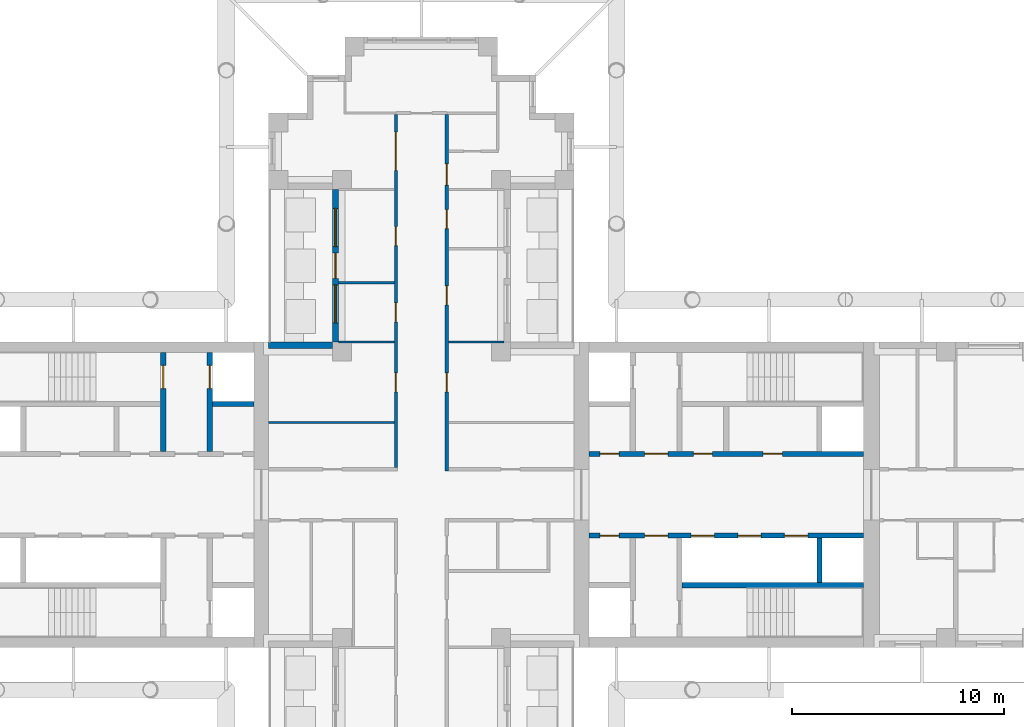
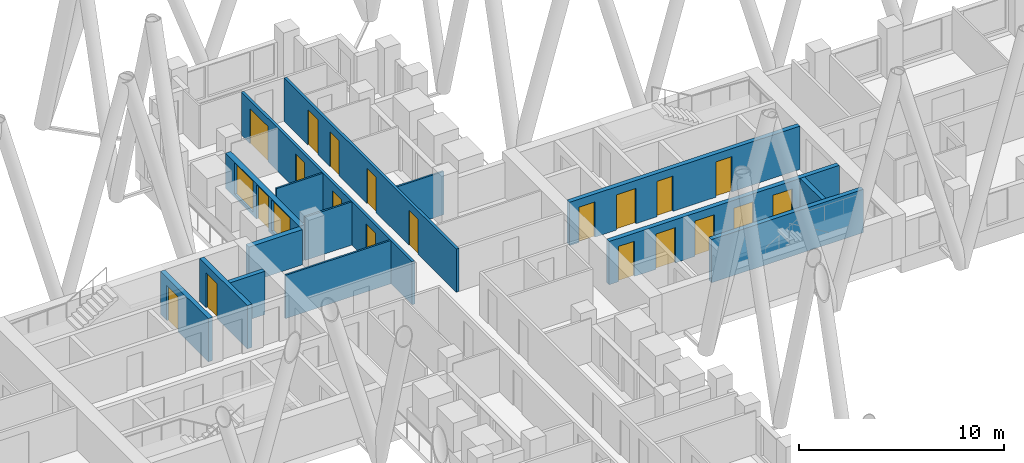
# One storey, part 8 of 14: 20 doors, 15 walls, 2 windows, 22 openings.
"""IFC4 building model written with IfcOpenShell, lengths in metres."""

import ifcopenshell
import ifcopenshell.guid

model = None  # the IFC model being written
_history = None  # IfcOwnerHistory: only IFC2X3 demands one
_inside = {}  # id of a spatial element -> (the spatial element, [elements in it])
_under = {}  # id of a project, library or spatial element -> (it, [spatial elements below it])
_declared = {}  # id of a project -> (the project, [libraries it declares])
_typed = {}  # id of a type object -> (the type object, [elements of that type])
_made_of = {}  # id of a material, layer set ... -> (it, [elements and type objects made of it])


def new_model(schema):
    """Start an empty IFC model of exactly this schema.

    Asked for "IFC4X3", IfcOpenShell would pick the latest addendum, in which some entities
    have other attributes; the version numbers below select the first issue.
    IFC2X3 requires an IfcOwnerHistory on every rooted entity: one is made here for all.
    """
    global model, _history
    if schema == "IFC4X3":
        model = ifcopenshell.file(schema_version=(4, 3, 0, 0))
    else:
        model = ifcopenshell.file(schema=schema)
    _inside.clear()
    _under.clear()
    _declared.clear()
    _typed.clear()
    _made_of.clear()
    _history = None
    if model.schema == "IFC2X3":
        org = make("IfcOrganization", Name="unknown")
        user = make(
            "IfcPersonAndOrganization",
            ThePerson=make("IfcPerson", FamilyName="unknown"),
            TheOrganization=org,
        )
        app = make(
            "IfcApplication",
            ApplicationDeveloper=org,
            Version="unknown",
            ApplicationFullName="unknown",
            ApplicationIdentifier="unknown",
        )
        _history = make(
            "IfcOwnerHistory",
            OwningUser=user,
            OwningApplication=app,
            ChangeAction="ADDED",
            CreationDate=0,
        )
    return model


def make(cls, **values):
    """One entity of the class cls with the attributes given. An attribute that is None is left unset."""
    return model.create_entity(
        cls, **{name: value for name, value in values.items() if value is not None}
    )


def rooted(cls, **values):
    """An entity with a GlobalId (a new one), such as an element, a storey or a relation."""
    return make(cls, GlobalId=ifcopenshell.guid.new(), OwnerHistory=_history, **values)


def si_unit(unit_type, name, prefix=None):
    """IfcSIUnit, for example si_unit("LENGTHUNIT", "METRE", prefix="MILLI")."""
    return make("IfcSIUnit", UnitType=unit_type, Prefix=prefix, Name=name)


def assignment(units):
    """IfcUnitAssignment: the units of a project."""
    return None if units is None else make("IfcUnitAssignment", Units=units)


def point(xyz):
    """IfcCartesianPoint."""
    return None if xyz is None else make("IfcCartesianPoint", Coordinates=xyz)


def direction(xyz):
    """IfcDirection."""
    return None if xyz is None else make("IfcDirection", DirectionRatios=xyz)


def frame(location, z_axis=None, x_axis=None):
    """IfcAxis2Placement3D, a coordinate frame: its origin and axes. An axis left out is left unset."""
    return make(
        "IfcAxis2Placement3D",
        Location=point(location),
        Axis=direction(z_axis),
        RefDirection=direction(x_axis),
    )


def frame_2d(location, x_axis=None):
    """IfcAxis2Placement2D, a coordinate frame in the plane: its origin and x axis."""
    return make(
        "IfcAxis2Placement2D", Location=point(location), RefDirection=direction(x_axis)
    )


def origin():
    """The frame at (0, 0, 0) with its axes left unset."""
    return frame((0.0, 0.0, 0.0))


def place(relative_to, where):
    """IfcLocalPlacement: puts the frame where relative to a parent placement (None: the world)."""
    return make(
        "IfcLocalPlacement", PlacementRelTo=relative_to, RelativePlacement=where
    )


def context(
    kind, dimensions, precision=None, world=None, true_north=None, identifier=None
):
    """IfcGeometricRepresentationContext, for example the 3D "Model" context."""
    return make(
        "IfcGeometricRepresentationContext",
        ContextIdentifier=identifier,
        ContextType=kind,
        CoordinateSpaceDimension=dimensions,
        Precision=precision,
        WorldCoordinateSystem=world,
        TrueNorth=true_north,
    )


def subcontext(parent, identifier, kind, view, scale=None):
    """IfcGeometricRepresentationSubContext, for example "Body" below "Model"."""
    return make(
        "IfcGeometricRepresentationSubContext",
        ContextIdentifier=identifier,
        ContextType=kind,
        ParentContext=parent,
        TargetScale=scale,
        TargetView=view,
    )


def project(units=None, contexts=None):
    """IfcProject with its units and contexts."""
    return rooted(
        "IfcProject",
        Name="project",
        RepresentationContexts=contexts,
        UnitsInContext=assignment(units),
    )


def spatial(cls, under=None, at=None, **own):
    """A site, building, storey or space (cls), placed at a placement, below another one or the project."""
    s = rooted(cls, ObjectPlacement=at, **own)
    if under is not None:
        _under.setdefault(under.id(), (under, []))[1].append(s)
    return s


def profile(cls, at=None, kind="AREA", **sizes):
    """A parametric profile (cls). Its sizes go by their IFC names, for example OverallWidth=200.0."""
    return make(cls, ProfileType=kind, Position=at, **sizes)


def rectangle(**sizes):
    """IfcRectangleProfileDef."""
    return profile("IfcRectangleProfileDef", **sizes)


def extrude(swept, where, along, depth):
    """IfcExtrudedAreaSolid: the profile swept, set in the frame where, extruded along a direction by depth."""
    return make(
        "IfcExtrudedAreaSolid",
        SweptArea=swept,
        Position=where,
        ExtrudedDirection=direction(along),
        Depth=depth,
    )


def shape(context_of_items, identifier, shape_type, items):
    """IfcShapeRepresentation: the items that make up one representation, for example the "Body"."""
    return make(
        "IfcShapeRepresentation",
        ContextOfItems=context_of_items,
        RepresentationIdentifier=identifier,
        RepresentationType=shape_type,
        Items=items,
    )


def material(Name=None, Category=None):
    """IfcMaterial."""
    return make("IfcMaterial", Name=Name, Category=Category)


def layer(
    of_material, thickness, ventilated=None, Name=None, Category=None, Priority=None
):
    """IfcMaterialLayer: one layer of a wall or slab, of a material (None: an air gap)."""
    return make(
        "IfcMaterialLayer",
        Material=of_material,
        LayerThickness=thickness,
        IsVentilated=ventilated,
        Name=Name,
        Category=Category,
        Priority=Priority,
    )


def layer_set(layers, Name=None):
    """IfcMaterialLayerSet."""
    return make("IfcMaterialLayerSet", MaterialLayers=layers, LayerSetName=Name)


def made_of(thing, what):
    """Note that an element or type object is made of a material, layer set ...; save() writes the relation."""
    if what is not None:
        _made_of.setdefault(what.id(), (what, []))[1].append(thing)
    return thing


def type_object(cls, material=None, **own):
    """A type object (cls), such as IfcWallType, which elements share."""
    return made_of(rooted(cls, **own), material)


def element(
    cls,
    number,
    at=None,
    inside=None,
    cuts=None,
    type_object=None,
    material=None,
    context=None,
    identifier="Body",
    shape_type=None,
    held_by="IfcProductDefinitionShape",
    body=None,
    shapes=None,
    **own,
):
    """One element of the class cls, such as IfcWall. Its Tag is "e" and its number.

    at: its placement. inside: the storey or other place that contains it. cuts: it is an
    opening in that element (IfcRelVoidsElement). A single representation is given by context,
    identifier, shape_type and body (its items); several are given by shapes. held_by: the class
    of the entity that holds the representations. save() writes the other relations.
    """
    e = rooted(cls, Tag="e%d" % number, ObjectPlacement=at, **own)
    if body is not None:
        shapes = [shape(context, identifier, shape_type, body)]
    if shapes is not None:
        e.Representation = make(held_by, Representations=shapes)
    if inside is not None:
        _inside.setdefault(inside.id(), (inside, []))[1].append(e)
    if cuts is not None:
        rooted(
            "IfcRelVoidsElement", RelatingBuildingElement=cuts, RelatedOpeningElement=e
        )
    if type_object is not None:
        _typed.setdefault(type_object.id(), (type_object, []))[1].append(e)
    return made_of(e, material)


def fill(opening, filler):
    """IfcRelFillsElement: the door or window that sits in an opening."""
    return rooted(
        "IfcRelFillsElement",
        RelatingOpeningElement=opening,
        RelatedBuildingElement=filler,
    )


def aggregate(whole, parts):
    """IfcRelAggregates: a whole, such as a stair, and the parts it consists of."""
    return rooted("IfcRelAggregates", RelatingObject=whole, RelatedObjects=parts)


def save(model, path):
    """Write the relations noted so far, then the file.

    IfcRelAggregates (storeys below a building ...), IfcRelContainedInSpatialStructure (elements
    in a storey), IfcRelDefinesByType, IfcRelAssociatesMaterial and IfcRelDeclares: one each for
    every whole, place, type object, material and project.
    """
    for whole, parts in _under.values():
        aggregate(whole, parts)
    for where, things in _inside.values():
        rooted(
            "IfcRelContainedInSpatialStructure",
            RelatedElements=things,
            RelatingStructure=where,
        )
    for kind, things in _typed.values():
        rooted("IfcRelDefinesByType", RelatedObjects=things, RelatingType=kind)
    for what, things in _made_of.values():
        rooted("IfcRelAssociatesMaterial", RelatedObjects=things, RelatingMaterial=what)
    for by, libraries in _declared.values():
        rooted("IfcRelDeclares", RelatingContext=by, RelatedDefinitions=libraries)
    model.write(path)


model = new_model("IFC4")

# Units and contexts
model_context = context("Model", 3, precision=1e-05, world=origin(), true_north=direction((0.0, 1.0)))
body_context = subcontext(model_context, "Body", "Model", "MODEL_VIEW")
ifc_project = project(units=[si_unit("LENGTHUNIT", "METRE"), si_unit("AREAUNIT", "SQUARE_METRE"), si_unit("VOLUMEUNIT", "CUBIC_METRE"), si_unit("PLANEANGLEUNIT", "RADIAN"), si_unit("MASSUNIT", "GRAM", prefix="KILO")], contexts=[model_context])

# Site, building, storey
site_placement = place(None, origin())
site = spatial("IfcSite", under=ifc_project, at=site_placement, CompositionType="ELEMENT")
building_placement = place(site_placement, origin())
building = spatial("IfcBuilding", under=site, at=building_placement, Name="Fustian Cross Tower", CompositionType="ELEMENT")
storey_placement = place(building_placement, frame((0.0, 0.0, 102.89990234375)))
storey = spatial("IfcBuildingStorey", under=building, at=storey_placement, Name="L32", CompositionType="ELEMENT", Elevation=102.89990234375)

# Wall, openings, doors
ifc_material_1 = material(Name="Plasterboard on steel stud", Category="steel")
ifc_layer_1 = layer(ifc_material_1, 0.14990234375)
ifc_layer_set_1 = layer_set([ifc_layer_1], Name="Plasterboard on steel stud")
wall_type_1 = type_object("IfcWallType", Name="COMPARTMENT WALL 150 EI 60", PredefinedType="PARTITIONING", material=ifc_layer_set_1)
wall_1_placement = place(storey_placement, frame((-1.199951171875, 1.27490234375, 0.0), z_axis=(0.0, 0.0, 1.0), x_axis=(0.0, 1.0, 0.0)))
wall_1 = element("IfcWall", 1, at=wall_1_placement, inside=storey, type_object=wall_type_1, Name="Partition 41", PredefinedType="PARTITIONING", context=body_context, shape_type="SweptSolid", body=[
    extrude(rectangle(XDim=16.650146484375, YDim=0.14990234375, at=frame_2d((8.3251953125, 0.0))), origin(), (0.0, 0.0, 1.0), 2.5751953125),
])
opening_1_placement = place(wall_1_placement, frame((3.574951171875, 0.0, 0.0)))
opening_1 = element("IfcOpeningElement", 2, at=opening_1_placement, cuts=wall_1, Name="Opening D15004", PredefinedType="OPENING", context=body_context, shape_type="SweptSolid", body=[
    extrude(rectangle(XDim=0.89990234375, YDim=2.10009765625, at=frame_2d((0.449951171875, 1.050048828125))), frame((0.0, 0.0849609375, 0.0), z_axis=(0.0, -1.0, 0.0), x_axis=(1.0, 0.0, 0.0)), (0.0, 0.0, 1.0), 0.169921875),
])
opening_2_placement = place(wall_1_placement, frame((6.875, 0.0, 0.0)))
opening_2 = element("IfcOpeningElement", 3, at=opening_2_placement, cuts=wall_1, Name="Opening D15021", PredefinedType="OPENING", context=body_context, shape_type="SweptSolid", body=[
    extrude(rectangle(XDim=0.89990234375, YDim=2.10009765625, at=frame_2d((0.449951171875, 1.050048828125))), frame((0.0, 0.0849609375, 0.0), z_axis=(0.0, -1.0, 0.0), x_axis=(1.0, 0.0, 0.0)), (0.0, 0.0, 1.0), 0.169921875),
])
opening_3_placement = place(wall_1_placement, frame((10.47509765625, 0.0, 0.0)))
opening_3 = element("IfcOpeningElement", 4, at=opening_3_placement, cuts=wall_1, Name="Opening D15022", PredefinedType="OPENING", context=body_context, shape_type="SweptSolid", body=[
    extrude(rectangle(XDim=0.89990234375, YDim=2.10009765625, at=frame_2d((0.449951171875, 1.050048828125))), frame((0.0, 0.0849609375, 0.0), z_axis=(0.0, -1.0, 0.0), x_axis=(1.0, 0.0, 0.0)), (0.0, 0.0, 1.0), 0.169921875),
])
opening_4_placement = place(wall_1_placement, frame((14.02490234375, 0.0, 0.0)))
opening_4 = element("IfcOpeningElement", 5, at=opening_4_placement, cuts=wall_1, Name="Opening D15023", PredefinedType="OPENING", context=body_context, shape_type="SweptSolid", body=[
    extrude(rectangle(XDim=1.800048828125, YDim=2.10009765625, at=frame_2d((0.89990234375, 1.050048828125))), frame((0.0, 0.0849609375, 0.0), z_axis=(0.0, -1.0, 0.0), x_axis=(1.0, 0.0, 0.0)), (0.0, 0.0, 1.0), 0.169921875),
])
ifc_material_2 = material(Name="Timber fire door set", Category="wood")
door_type_1 = type_object("IfcDoorType", Name="FIRE DOUBLE DOOR 1800 FD30S", OperationType="DOUBLE_DOOR_DOUBLE_SWING", PredefinedType="DOOR", material=ifc_material_2)
door_1_placement = place(opening_4_placement, frame((1.800048828125, 0.0, 0.0), z_axis=(0.0, 0.0, 1.0), x_axis=(-1.0, 0.0, 0.0)))
door_1 = element("IfcDoor", 6, at=door_1_placement, inside=storey, type_object=door_type_1, Name="Door D15023", OperationType="DOUBLE_DOOR_DOUBLE_SWING", OverallHeight=2.10009765625, OverallWidth=1.800048828125, PredefinedType="DOOR", context=body_context, shape_type="SweptSolid", body=[
    extrude(rectangle(XDim=1.800048828125, YDim=2.10009765625, at=frame_2d((0.89990234375, 1.050048828125))), frame((0.0, 0.02490234375, 0.0), z_axis=(0.0, -1.0, 0.0), x_axis=(1.0, 0.0, 0.0)), (0.0, 0.0, 1.0), 0.050048828125),
])
fill(opening_4, door_1)
ifc_material_3 = material(Name="Timber fire door set", Category="wood")
door_type_2 = type_object("IfcDoorType", Name="FIRE SWING DOOR 900 FD30S", OperationType="SINGLE_SWING_LEFT", PredefinedType="DOOR", material=ifc_material_3)
door_2_placement = place(opening_1_placement, origin())
door_2 = element("IfcDoor", 7, at=door_2_placement, inside=storey, type_object=door_type_2, Name="Door D15004", OperationType="SINGLE_SWING_RIGHT", OverallHeight=2.10009765625, OverallWidth=0.89990234375, PredefinedType="DOOR", context=body_context, shape_type="SweptSolid", body=[
    extrude(rectangle(XDim=0.89990234375, YDim=2.10009765625, at=frame_2d((0.449951171875, 1.050048828125))), frame((0.0, 0.02490234375, 0.0), z_axis=(0.0, -1.0, 0.0), x_axis=(1.0, 0.0, 0.0)), (0.0, 0.0, 1.0), 0.050048828125),
])
fill(opening_1, door_2)
door_3_placement = place(opening_2_placement, origin())
door_3 = element("IfcDoor", 8, at=door_3_placement, inside=storey, type_object=door_type_2, Name="Door D15021", OperationType="SINGLE_SWING_LEFT", OverallHeight=2.10009765625, OverallWidth=0.89990234375, PredefinedType="DOOR", context=body_context, shape_type="SweptSolid", body=[
    extrude(rectangle(XDim=0.89990234375, YDim=2.10009765625, at=frame_2d((0.449951171875, 1.050048828125))), frame((0.0, 0.02490234375, 0.0), z_axis=(0.0, -1.0, 0.0), x_axis=(1.0, 0.0, 0.0)), (0.0, 0.0, 1.0), 0.050048828125),
])
fill(opening_2, door_3)
door_4_placement = place(opening_3_placement, origin())
door_4 = element("IfcDoor", 9, at=door_4_placement, inside=storey, type_object=door_type_2, Name="Door D15022", OperationType="SINGLE_SWING_LEFT", OverallHeight=2.10009765625, OverallWidth=0.89990234375, PredefinedType="DOOR", context=body_context, shape_type="SweptSolid", body=[
    extrude(rectangle(XDim=0.89990234375, YDim=2.10009765625, at=frame_2d((0.449951171875, 1.050048828125))), frame((0.0, 0.02490234375, 0.0), z_axis=(0.0, -1.0, 0.0), x_axis=(1.0, 0.0, 0.0)), (0.0, 0.0, 1.0), 0.050048828125),
])
fill(opening_3, door_4)

wall_2_placement = place(storey_placement, frame((1.199951171875, 1.125, 0.0), z_axis=(0.0, 0.0, 1.0), x_axis=(0.0, 1.0, 0.0)))
wall_2 = element("IfcWall", 10, at=wall_2_placement, inside=storey, type_object=wall_type_1, Name="Partition 51", PredefinedType="PARTITIONING", context=body_context, shape_type="SweptSolid", body=[
    extrude(rectangle(XDim=16.800048828125, YDim=0.14990234375, at=frame_2d((8.39990234375, 0.0))), origin(), (0.0, 0.0, 1.0), 2.5751953125),
])
opening_5_placement = place(wall_2_placement, frame((3.72509765625, 0.0, 0.0)))
opening_5 = element("IfcOpeningElement", 11, at=opening_5_placement, cuts=wall_2, Name="Opening D15002", PredefinedType="OPENING", context=body_context, shape_type="SweptSolid", body=[
    extrude(rectangle(XDim=0.89990234375, YDim=2.10009765625, at=frame_2d((0.449951171875, 1.050048828125))), frame((0.0, 0.0849609375, 0.0), z_axis=(0.0, -1.0, 0.0), x_axis=(1.0, 0.0, 0.0)), (0.0, 0.0, 1.0), 0.169921875),
])
opening_6_placement = place(wall_2_placement, frame((11.425048828125, 0.0, 0.0)))
opening_6 = element("IfcOpeningElement", 12, at=opening_6_placement, cuts=wall_2, Name="Opening D15024", PredefinedType="OPENING", context=body_context, shape_type="SweptSolid", body=[
    extrude(rectangle(XDim=0.89990234375, YDim=2.10009765625, at=frame_2d((0.449951171875, 1.050048828125))), frame((0.0, 0.0849609375, 0.0), z_axis=(0.0, -1.0, 0.0), x_axis=(1.0, 0.0, 0.0)), (0.0, 0.0, 1.0), 0.169921875),
])
opening_7_placement = place(wall_2_placement, frame((7.824951171875, 0.0, 0.0)))
opening_7 = element("IfcOpeningElement", 13, at=opening_7_placement, cuts=wall_2, Name="Opening D15025", PredefinedType="OPENING", context=body_context, shape_type="SweptSolid", body=[
    extrude(rectangle(XDim=0.89990234375, YDim=2.10009765625, at=frame_2d((0.449951171875, 1.050048828125))), frame((0.0, 0.0849609375, 0.0), z_axis=(0.0, -1.0, 0.0), x_axis=(1.0, 0.0, 0.0)), (0.0, 0.0, 1.0), 0.169921875),
])
opening_8_placement = place(wall_2_placement, frame((13.47509765625, 0.0, 0.0)))
opening_8 = element("IfcOpeningElement", 14, at=opening_8_placement, cuts=wall_2, Name="Opening D15027", PredefinedType="OPENING", context=body_context, shape_type="SweptSolid", body=[
    extrude(rectangle(XDim=1.0, YDim=2.10009765625, at=frame_2d((0.5, 1.050048828125))), frame((0.0, 0.0849609375, 0.0), z_axis=(0.0, -1.0, 0.0), x_axis=(1.0, 0.0, 0.0)), (0.0, 0.0, 1.0), 0.169921875),
])
ifc_material_4 = material(Name="Timber fire door set", Category="wood")
door_type_3 = type_object("IfcDoorType", Name="FIRE SWING DOOR 1000 FD30S", OperationType="SINGLE_SWING_LEFT", PredefinedType="DOOR", material=ifc_material_4)
door_5_placement = place(opening_8_placement, frame((1.0, 0.0, 0.0), z_axis=(0.0, 0.0, 1.0), x_axis=(-1.0, 0.0, 0.0)))
door_5 = element("IfcDoor", 15, at=door_5_placement, inside=storey, type_object=door_type_3, Name="Door D15027", OperationType="SINGLE_SWING_RIGHT", OverallHeight=2.10009765625, OverallWidth=1.0, PredefinedType="DOOR", context=body_context, shape_type="SweptSolid", body=[
    extrude(rectangle(XDim=1.0, YDim=2.10009765625, at=frame_2d((0.5, 1.050048828125))), frame((0.0, 0.02490234375, 0.0), z_axis=(0.0, -1.0, 0.0), x_axis=(1.0, 0.0, 0.0)), (0.0, 0.0, 1.0), 0.050048828125),
])
fill(opening_8, door_5)
door_6_placement = place(opening_5_placement, frame((0.89990234375, 0.0, 0.0), z_axis=(0.0, 0.0, 1.0), x_axis=(-1.0, 0.0, 0.0)))
door_6 = element("IfcDoor", 16, at=door_6_placement, inside=storey, type_object=door_type_2, Name="Door D15002", OperationType="SINGLE_SWING_LEFT", OverallHeight=2.10009765625, OverallWidth=0.89990234375, PredefinedType="DOOR", context=body_context, shape_type="SweptSolid", body=[
    extrude(rectangle(XDim=0.89990234375, YDim=2.10009765625, at=frame_2d((0.449951171875, 1.050048828125))), frame((0.0, 0.02490234375, 0.0), z_axis=(0.0, -1.0, 0.0), x_axis=(1.0, 0.0, 0.0)), (0.0, 0.0, 1.0), 0.050048828125),
])
fill(opening_5, door_6)
door_7_placement = place(opening_6_placement, frame((0.89990234375, 0.0, 0.0), z_axis=(0.0, 0.0, 1.0), x_axis=(-1.0, 0.0, 0.0)))
door_7 = element("IfcDoor", 17, at=door_7_placement, inside=storey, type_object=door_type_2, Name="Door D15024", OperationType="SINGLE_SWING_RIGHT", OverallHeight=2.10009765625, OverallWidth=0.89990234375, PredefinedType="DOOR", context=body_context, shape_type="SweptSolid", body=[
    extrude(rectangle(XDim=0.89990234375, YDim=2.10009765625, at=frame_2d((0.449951171875, 1.050048828125))), frame((0.0, 0.02490234375, 0.0), z_axis=(0.0, -1.0, 0.0), x_axis=(1.0, 0.0, 0.0)), (0.0, 0.0, 1.0), 0.050048828125),
])
fill(opening_6, door_7)
door_8_placement = place(opening_7_placement, frame((0.89990234375, 0.0, 0.0), z_axis=(0.0, 0.0, 1.0), x_axis=(-1.0, 0.0, 0.0)))
door_8 = element("IfcDoor", 18, at=door_8_placement, inside=storey, type_object=door_type_2, Name="Door D15025", OperationType="SINGLE_SWING_RIGHT", OverallHeight=2.10009765625, OverallWidth=0.89990234375, PredefinedType="DOOR", context=body_context, shape_type="SweptSolid", body=[
    extrude(rectangle(XDim=0.89990234375, YDim=2.10009765625, at=frame_2d((0.449951171875, 1.050048828125))), frame((0.0, 0.02490234375, 0.0), z_axis=(0.0, -1.0, 0.0), x_axis=(1.0, 0.0, 0.0)), (0.0, 0.0, 1.0), 0.050048828125),
])
fill(opening_7, door_8)

ifc_material_5 = material(Name="Concrete C50/60", Category="concrete")
ifc_layer_2 = layer(ifc_material_5, 0.25)
ifc_layer_set_2 = layer_set([ifc_layer_2], Name="Concrete C50/60")
wall_type_2 = type_object("IfcWallType", Name="CORE LOBBY WALL 250 C50/60", PredefinedType="SHEAR", material=ifc_layer_set_2)
wall_3_placement = place(storey_placement, frame((7.89990234375, 1.925048828125, 0.0), z_axis=(0.0, 0.0, 1.0), x_axis=(1.0, 0.0, 0.0)))
wall_3 = element("IfcWall", 19, at=wall_3_placement, inside=storey, type_object=wall_type_2, Name="Core lobby wall", PredefinedType="SHEAR", context=body_context, shape_type="SweptSolid", body=[
    extrude(rectangle(XDim=12.9501953125, YDim=0.25, at=frame_2d((6.47509765625, 0.0))), origin(), (0.0, 0.0, 1.0), 2.5751953125),
])
opening_9_placement = place(wall_3_placement, frame((0.52490234375, 0.0, 0.0)))
opening_9 = element("IfcOpeningElement", 20, at=opening_9_placement, cuts=wall_3, Name="Opening CD-10-08", PredefinedType="OPENING", context=body_context, shape_type="SweptSolid", body=[
    extrude(rectangle(XDim=0.89990234375, YDim=2.10009765625, at=frame_2d((0.449951171875, 1.050048828125))), frame((0.0, 0.135009765625, 0.0), z_axis=(0.0, -1.0, 0.0), x_axis=(1.0, 0.0, 0.0)), (0.0, 0.0, 1.0), 0.27001953125),
])
opening_10_placement = place(wall_3_placement, frame((2.625, 0.0, 0.0)))
opening_10 = element("IfcOpeningElement", 21, at=opening_10_placement, cuts=wall_3, Name="Opening CD-10-10", PredefinedType="OPENING", context=body_context, shape_type="SweptSolid", body=[
    extrude(rectangle(XDim=1.10009765625, YDim=2.10009765625, at=frame_2d((0.550048828125, 1.050048828125))), frame((0.0, 0.135009765625, 0.0), z_axis=(0.0, -1.0, 0.0), x_axis=(1.0, 0.0, 0.0)), (0.0, 0.0, 1.0), 0.27001953125),
])
opening_11_placement = place(wall_3_placement, frame((4.925048828125, 0.0, 0.0)))
opening_11 = element("IfcOpeningElement", 22, at=opening_11_placement, cuts=wall_3, Name="Opening CD-10-14", PredefinedType="OPENING", context=body_context, shape_type="SweptSolid", body=[
    extrude(rectangle(XDim=0.89990234375, YDim=2.10009765625, at=frame_2d((0.449951171875, 1.050048828125))), frame((0.0, 0.135009765625, 0.0), z_axis=(0.0, -1.0, 0.0), x_axis=(1.0, 0.0, 0.0)), (0.0, 0.0, 1.0), 0.27001953125),
])
opening_12_placement = place(wall_3_placement, frame((8.22509765625, 0.0, 0.0)))
opening_12 = element("IfcOpeningElement", 23, at=opening_12_placement, cuts=wall_3, Name="Opening CD-10-15", PredefinedType="OPENING", context=body_context, shape_type="SweptSolid", body=[
    extrude(rectangle(XDim=0.89990234375, YDim=2.10009765625, at=frame_2d((0.449951171875, 1.050048828125))), frame((0.0, 0.135009765625, 0.0), z_axis=(0.0, -1.0, 0.0), x_axis=(1.0, 0.0, 0.0)), (0.0, 0.0, 1.0), 0.27001953125),
])
ifc_material_6 = material(Name="Steel", Category="steel")
door_type_4 = type_object("IfcDoorType", Name="FIRE DOOR FD30S 900X2100", OperationType="SINGLE_SWING_LEFT", PredefinedType="DOOR", material=ifc_material_6)
door_9_placement = place(opening_11_placement, origin())
door_9 = element("IfcDoor", 24, at=door_9_placement, inside=storey, type_object=door_type_4, Name="Core door CD-10-14", OperationType="SINGLE_SWING_LEFT", OverallHeight=2.10009765625, OverallWidth=0.89990234375, PredefinedType="DOOR", context=body_context, shape_type="SweptSolid", body=[
    extrude(rectangle(XDim=0.89990234375, YDim=2.10009765625, at=frame_2d((0.449951171875, 1.050048828125))), frame((0.0, 0.02490234375, 0.0), z_axis=(0.0, -1.0, 0.0), x_axis=(1.0, 0.0, 0.0)), (0.0, 0.0, 1.0), 0.050048828125),
])
fill(opening_11, door_9)
door_10_placement = place(opening_12_placement, origin())
door_10 = element("IfcDoor", 25, at=door_10_placement, inside=storey, type_object=door_type_4, Name="Core door CD-10-15", OperationType="SINGLE_SWING_RIGHT", OverallHeight=2.10009765625, OverallWidth=0.89990234375, PredefinedType="DOOR", context=body_context, shape_type="SweptSolid", body=[
    extrude(rectangle(XDim=0.89990234375, YDim=2.10009765625, at=frame_2d((0.449951171875, 1.050048828125))), frame((0.0, 0.02490234375, 0.0), z_axis=(0.0, -1.0, 0.0), x_axis=(1.0, 0.0, 0.0)), (0.0, 0.0, 1.0), 0.050048828125),
])
fill(opening_12, door_10)
ifc_material_7 = material(Name="Steel", Category="steel")
door_type_5 = type_object("IfcDoorType", Name="FIRE DOOR FD60S 1100X2100", OperationType="SINGLE_SWING_LEFT", PredefinedType="DOOR", material=ifc_material_7)
door_11_placement = place(opening_10_placement, frame((1.10009765625, 0.0, 0.0), z_axis=(0.0, 0.0, 1.0), x_axis=(-1.0, 0.0, 0.0)))
door_11 = element("IfcDoor", 26, at=door_11_placement, inside=storey, type_object=door_type_5, Name="Core door CD-10-10", OperationType="SINGLE_SWING_RIGHT", OverallHeight=2.10009765625, OverallWidth=1.10009765625, PredefinedType="DOOR", context=body_context, shape_type="SweptSolid", body=[
    extrude(rectangle(XDim=1.10009765625, YDim=2.10009765625, at=frame_2d((0.550048828125, 1.050048828125))), frame((0.0, 0.02490234375, 0.0), z_axis=(0.0, -1.0, 0.0), x_axis=(1.0, 0.0, 0.0)), (0.0, 0.0, 1.0), 0.050048828125),
])
fill(opening_10, door_11)
ifc_material_8 = material(Name="Steel", Category="steel")
door_type_6 = type_object("IfcDoorType", Name="FIRE DOOR FD60S 900X2100", OperationType="SINGLE_SWING_LEFT", PredefinedType="DOOR", material=ifc_material_8)
door_12_placement = place(opening_9_placement, origin())
door_12 = element("IfcDoor", 27, at=door_12_placement, inside=storey, type_object=door_type_6, Name="Core door CD-10-08", OperationType="SINGLE_SWING_LEFT", OverallHeight=2.10009765625, OverallWidth=0.89990234375, PredefinedType="DOOR", context=body_context, shape_type="SweptSolid", body=[
    extrude(rectangle(XDim=0.89990234375, YDim=2.10009765625, at=frame_2d((0.449951171875, 1.050048828125))), frame((0.0, 0.02490234375, 0.0), z_axis=(0.0, -1.0, 0.0), x_axis=(1.0, 0.0, 0.0)), (0.0, 0.0, 1.0), 0.050048828125),
])
fill(opening_9, door_12)

wall_4_placement = place(storey_placement, frame((7.89990234375, -1.925048828125, 0.0), z_axis=(0.0, 0.0, 1.0), x_axis=(1.0, 0.0, 0.0)))
wall_4 = element("IfcWall", 28, at=wall_4_placement, inside=storey, type_object=wall_type_2, Name="Core lobby wall", PredefinedType="SHEAR", context=body_context, shape_type="SweptSolid", body=[
    extrude(rectangle(XDim=12.9501953125, YDim=0.25, at=frame_2d((6.47509765625, 0.0))), origin(), (0.0, 0.0, 1.0), 2.5751953125),
])
opening_13_placement = place(wall_4_placement, frame((4.824951171875, 0.0, 0.0)))
opening_13 = element("IfcOpeningElement", 29, at=opening_13_placement, cuts=wall_4, Name="Opening LD", PredefinedType="OPENING", context=body_context, shape_type="SweptSolid", body=[
    extrude(rectangle(XDim=1.10009765625, YDim=2.10009765625, at=frame_2d((0.550048828125, 1.050048828125))), frame((0.0, 0.135009765625, 0.0), z_axis=(0.0, -1.0, 0.0), x_axis=(1.0, 0.0, 0.0)), (0.0, 0.0, 1.0), 0.27001953125),
])
opening_14_placement = place(wall_4_placement, frame((7.02490234375, 0.0, 0.0)))
opening_14 = element("IfcOpeningElement", 30, at=opening_14_placement, cuts=wall_4, Name="Opening LD", PredefinedType="OPENING", context=body_context, shape_type="SweptSolid", body=[
    extrude(rectangle(XDim=1.10009765625, YDim=2.10009765625, at=frame_2d((0.550048828125, 1.050048828125))), frame((0.0, 0.135009765625, 0.0), z_axis=(0.0, -1.0, 0.0), x_axis=(1.0, 0.0, 0.0)), (0.0, 0.0, 1.0), 0.27001953125),
])
opening_15_placement = place(wall_4_placement, frame((9.22509765625, 0.0, 0.0)))
opening_15 = element("IfcOpeningElement", 31, at=opening_15_placement, cuts=wall_4, Name="Opening LD", PredefinedType="OPENING", context=body_context, shape_type="SweptSolid", body=[
    extrude(rectangle(XDim=1.10009765625, YDim=2.10009765625, at=frame_2d((0.550048828125, 1.050048828125))), frame((0.0, 0.135009765625, 0.0), z_axis=(0.0, -1.0, 0.0), x_axis=(1.0, 0.0, 0.0)), (0.0, 0.0, 1.0), 0.27001953125),
])
opening_16_placement = place(wall_4_placement, frame((0.52490234375, 0.0, 0.0)))
opening_16 = element("IfcOpeningElement", 32, at=opening_16_placement, cuts=wall_4, Name="Opening CD-10-09", PredefinedType="OPENING", context=body_context, shape_type="SweptSolid", body=[
    extrude(rectangle(XDim=0.89990234375, YDim=2.10009765625, at=frame_2d((0.449951171875, 1.050048828125))), frame((0.0, 0.135009765625, 0.0), z_axis=(0.0, -1.0, 0.0), x_axis=(1.0, 0.0, 0.0)), (0.0, 0.0, 1.0), 0.27001953125),
])
opening_17_placement = place(wall_4_placement, frame((2.625, 0.0, 0.0)))
opening_17 = element("IfcOpeningElement", 33, at=opening_17_placement, cuts=wall_4, Name="Opening CD-10-11", PredefinedType="OPENING", context=body_context, shape_type="SweptSolid", body=[
    extrude(rectangle(XDim=1.10009765625, YDim=2.10009765625, at=frame_2d((0.550048828125, 1.050048828125))), frame((0.0, 0.135009765625, 0.0), z_axis=(0.0, -1.0, 0.0), x_axis=(1.0, 0.0, 0.0)), (0.0, 0.0, 1.0), 0.27001953125),
])
ifc_material_9 = material(Name="Steel", Category="steel")
door_type_7 = type_object("IfcDoorType", Name="FIRE DOOR FD30S 1100X2100", OperationType="SINGLE_SWING_LEFT", PredefinedType="DOOR", material=ifc_material_9)
door_13_placement = place(opening_17_placement, frame((1.10009765625, 0.0, 0.0), z_axis=(0.0, 0.0, 1.0), x_axis=(-1.0, 0.0, 0.0)))
door_13 = element("IfcDoor", 34, at=door_13_placement, inside=storey, type_object=door_type_7, Name="Core door CD-10-11", OperationType="SINGLE_SWING_RIGHT", OverallHeight=2.10009765625, OverallWidth=1.10009765625, PredefinedType="DOOR", context=body_context, shape_type="SweptSolid", body=[
    extrude(rectangle(XDim=1.10009765625, YDim=2.10009765625, at=frame_2d((0.550048828125, 1.050048828125))), frame((0.0, 0.02490234375, 0.0), z_axis=(0.0, -1.0, 0.0), x_axis=(1.0, 0.0, 0.0)), (0.0, 0.0, 1.0), 0.050048828125),
])
fill(opening_17, door_13)
door_14_placement = place(opening_16_placement, frame((0.89990234375, 0.0, 0.0), z_axis=(0.0, 0.0, 1.0), x_axis=(-1.0, 0.0, 0.0)))
door_14 = element("IfcDoor", 35, at=door_14_placement, inside=storey, type_object=door_type_4, Name="Core door CD-10-09", OperationType="SINGLE_SWING_RIGHT", OverallHeight=2.10009765625, OverallWidth=0.89990234375, PredefinedType="DOOR", context=body_context, shape_type="SweptSolid", body=[
    extrude(rectangle(XDim=0.89990234375, YDim=2.10009765625, at=frame_2d((0.449951171875, 1.050048828125))), frame((0.0, 0.02490234375, 0.0), z_axis=(0.0, -1.0, 0.0), x_axis=(1.0, 0.0, 0.0)), (0.0, 0.0, 1.0), 0.050048828125),
])
fill(opening_16, door_14)
ifc_material_10 = material(Name="Stainless steel", Category="steel")
door_type_8 = type_object("IfcDoorType", Name="LIFT LANDING DOOR 1100X2100", OperationType="SLIDING_TO_LEFT", PredefinedType="DOOR", material=ifc_material_10)
door_15_placement = place(opening_13_placement, origin())
door_15 = element("IfcDoor", 36, at=door_15_placement, inside=storey, type_object=door_type_8, Name="Landing door LR1", OperationType="SLIDING_TO_LEFT", OverallHeight=2.10009765625, OverallWidth=1.10009765625, PredefinedType="DOOR", context=body_context, shape_type="SweptSolid", body=[
    extrude(rectangle(XDim=1.10009765625, YDim=2.10009765625, at=frame_2d((0.550048828125, 1.050048828125))), frame((0.0, 0.02490234375, 0.0), z_axis=(0.0, -1.0, 0.0), x_axis=(1.0, 0.0, 0.0)), (0.0, 0.0, 1.0), 0.050048828125),
])
fill(opening_13, door_15)
door_16_placement = place(opening_14_placement, origin())
door_16 = element("IfcDoor", 37, at=door_16_placement, inside=storey, type_object=door_type_8, Name="Landing door LR2", OperationType="SLIDING_TO_LEFT", OverallHeight=2.10009765625, OverallWidth=1.10009765625, PredefinedType="DOOR", context=body_context, shape_type="SweptSolid", body=[
    extrude(rectangle(XDim=1.10009765625, YDim=2.10009765625, at=frame_2d((0.550048828125, 1.050048828125))), frame((0.0, 0.02490234375, 0.0), z_axis=(0.0, -1.0, 0.0), x_axis=(1.0, 0.0, 0.0)), (0.0, 0.0, 1.0), 0.050048828125),
])
fill(opening_14, door_16)
door_17_placement = place(opening_15_placement, origin())
door_17 = element("IfcDoor", 38, at=door_17_placement, inside=storey, type_object=door_type_8, Name="Landing door LR3", OperationType="SLIDING_TO_LEFT", OverallHeight=2.10009765625, OverallWidth=1.10009765625, PredefinedType="DOOR", context=body_context, shape_type="SweptSolid", body=[
    extrude(rectangle(XDim=1.10009765625, YDim=2.10009765625, at=frame_2d((0.550048828125, 1.050048828125))), frame((0.0, 0.02490234375, 0.0), z_axis=(0.0, -1.0, 0.0), x_axis=(1.0, 0.0, 0.0)), (0.0, 0.0, 1.0), 0.050048828125),
])
fill(opening_15, door_17)

# Walls
ifc_material_11 = material(Name="Concrete C50/60", Category="concrete")
ifc_layer_3 = layer(ifc_material_11, 0.25)
ifc_layer_set_3 = layer_set([ifc_layer_3], Name="Concrete C50/60")
wall_type_3 = type_object("IfcWallType", Name="CORE SHAFT WALL 250 C50/60", PredefinedType="SHEAR", material=ifc_layer_set_3)
wall_5_placement = place(storey_placement, frame((12.300048828125, -4.27490234375, 0.0), z_axis=(0.0, 0.0, 1.0), x_axis=(1.0, 0.0, 0.0)))
element("IfcWall", 39, at=wall_5_placement, inside=storey, type_object=wall_type_3, Name="Core shaft wall", PredefinedType="SHEAR", context=body_context, shape_type="SweptSolid", body=[
    extrude(rectangle(XDim=8.550048828125, YDim=0.25, at=frame_2d((4.27490234375, 0.0))), origin(), (0.0, 0.0, 1.0), 2.5751953125),
])
wall_6_placement = place(storey_placement, frame((-7.89990234375, 4.27490234375, 0.0), z_axis=(0.0, 0.0, 1.0), x_axis=(-1.0, 0.0, 0.0)))
element("IfcWall", 40, at=wall_6_placement, inside=storey, type_object=wall_type_3, Name="Core shaft wall", PredefinedType="SHEAR", context=body_context, shape_type="SweptSolid", body=[
    extrude(rectangle(XDim=1.9501953125, YDim=0.25, at=frame_2d((0.97509765625, 0.0))), origin(), (0.0, 0.0, 1.0), 2.5751953125),
])

# Wall, opening, door
wall_7_placement = place(storey_placement, frame((-9.97509765625, 2.050048828125, 0.0), z_axis=(0.0, 0.0, 1.0), x_axis=(0.0, 1.0, 0.0)))
wall_7 = element("IfcWall", 41, at=wall_7_placement, inside=storey, type_object=wall_type_3, Name="Core shaft wall", PredefinedType="SHEAR", context=body_context, shape_type="SweptSolid", body=[
    extrude(rectangle(XDim=4.64990234375, YDim=0.25, at=frame_2d((2.324951171875, 0.0))), origin(), (0.0, 0.0, 1.0), 2.5751953125),
])
opening_18_placement = place(wall_7_placement, frame((2.949951171875, 0.0, 0.0)))
opening_18 = element("IfcOpeningElement", 42, at=opening_18_placement, cuts=wall_7, Name="Opening LD", PredefinedType="OPENING", context=body_context, shape_type="SweptSolid", body=[
    extrude(rectangle(XDim=1.10009765625, YDim=2.10009765625, at=frame_2d((0.550048828125, 1.050048828125))), frame((0.0, 0.135009765625, 0.0), z_axis=(0.0, -1.0, 0.0), x_axis=(1.0, 0.0, 0.0)), (0.0, 0.0, 1.0), 0.27001953125),
])
door_18_placement = place(opening_18_placement, origin())
door_18 = element("IfcDoor", 43, at=door_18_placement, inside=storey, type_object=door_type_8, Name="Landing door FL1W", OperationType="SLIDING_TO_LEFT", OverallHeight=2.10009765625, OverallWidth=1.10009765625, PredefinedType="DOOR", context=body_context, shape_type="SweptSolid", body=[
    extrude(rectangle(XDim=1.10009765625, YDim=2.10009765625, at=frame_2d((0.550048828125, 1.050048828125))), frame((0.0, 0.02490234375, 0.0), z_axis=(0.0, -1.0, 0.0), x_axis=(1.0, 0.0, 0.0)), (0.0, 0.0, 1.0), 0.050048828125),
])
fill(opening_18, door_18)

wall_8_placement = place(storey_placement, frame((-12.175048828125, 2.050048828125, 0.0), z_axis=(0.0, 0.0, 1.0), x_axis=(0.0, 1.0, 0.0)))
wall_8 = element("IfcWall", 44, at=wall_8_placement, inside=storey, type_object=wall_type_3, Name="Core shaft wall", PredefinedType="SHEAR", context=body_context, shape_type="SweptSolid", body=[
    extrude(rectangle(XDim=4.64990234375, YDim=0.25, at=frame_2d((2.324951171875, 0.0))), origin(), (0.0, 0.0, 1.0), 2.5751953125),
])
opening_19_placement = place(wall_8_placement, frame((2.949951171875, 0.0, 0.0)))
opening_19 = element("IfcOpeningElement", 45, at=opening_19_placement, cuts=wall_8, Name="Opening CD-10-21", PredefinedType="OPENING", context=body_context, shape_type="SweptSolid", body=[
    extrude(rectangle(XDim=1.10009765625, YDim=2.10009765625, at=frame_2d((0.550048828125, 1.050048828125))), frame((0.0, 0.135009765625, 0.0), z_axis=(0.0, -1.0, 0.0), x_axis=(1.0, 0.0, 0.0)), (0.0, 0.0, 1.0), 0.27001953125),
])
door_19_placement = place(opening_19_placement, origin())
door_19 = element("IfcDoor", 46, at=door_19_placement, inside=storey, type_object=door_type_5, Name="Core door CD-10-21", OperationType="SINGLE_SWING_LEFT", OverallHeight=2.10009765625, OverallWidth=1.10009765625, PredefinedType="DOOR", context=body_context, shape_type="SweptSolid", body=[
    extrude(rectangle(XDim=1.10009765625, YDim=2.10009765625, at=frame_2d((0.550048828125, 1.050048828125))), frame((0.0, 0.02490234375, 0.0), z_axis=(0.0, -1.0, 0.0), x_axis=(1.0, 0.0, 0.0)), (0.0, 0.0, 1.0), 0.050048828125),
])
fill(opening_19, door_19)

# Walls
ifc_material_12 = material(Name="Plasterboard on steel stud", Category="steel")
ifc_layer_4 = layer(ifc_material_12, 0.10009765625)
ifc_layer_set_4 = layer_set([ifc_layer_4], Name="Plasterboard on steel stud")
wall_type_4 = type_object("IfcWallType", Name="PARTITION 100 STUD", PredefinedType="PARTITIONING", material=ifc_layer_set_4)
wall_9_placement = place(storey_placement, frame((-7.199951171875, 3.39990234375, 0.0), z_axis=(0.0, 0.0, 1.0), x_axis=(1.0, 0.0, 0.0)))
element("IfcWall", 47, at=wall_9_placement, inside=storey, type_object=wall_type_4, Name="Partition 14", PredefinedType="PARTITIONING", context=body_context, shape_type="SweptSolid", body=[
    extrude(rectangle(XDim=5.925048828125, YDim=0.10009765625, at=frame_2d((2.96240234375, 0.0))), origin(), (0.0, 0.0, 1.0), 2.5751953125),
])
for number, where, z_axis, x_axis, name in (
    (48, (-3.89990234375, 7.199951171875, 0.0), (0.0, 0.0, 1.0), (1.0, 0.0, 0.0), "Partition 33"),
    (49, (-3.89990234375, 10.0, 0.0), (0.0, 0.0, 1.0), (1.0, 0.0, 0.0), "Partition 34"),
    (50, (1.27490234375, 7.199951171875, 0.0), (0.0, 0.0, 1.0), (1.0, 0.0, 0.0), "Partition 54"),
):
    element("IfcWall", number, at=place(storey_placement, frame(where, z_axis=z_axis, x_axis=x_axis)), inside=storey, type_object=wall_type_4, Name=name, PredefinedType="PARTITIONING", context=body_context, shape_type="SweptSolid", body=[
        extrude(rectangle(XDim=2.625, YDim=0.10009765625, at=frame_2d((1.3125, 0.0))), origin(), (0.0, 0.0, 1.0), 2.5751953125),
    ])
ifc_material_13 = material(Name="Concrete C40/50", Category="concrete")
ifc_layer_5 = layer(ifc_material_13, 0.25)
ifc_layer_set_5 = layer_set([ifc_layer_5], Name="Concrete C40/50")
wall_type_5 = type_object("IfcWallType", Name="SHAFT PARTITION WALL 250 C40/50", PredefinedType="PARTITIONING", material=ifc_layer_set_5)
wall_10_placement = place(storey_placement, frame((18.77490234375, -2.050048828125, 0.0), z_axis=(0.0, 0.0, 1.0), x_axis=(0.0, -1.0, 0.0)))
element("IfcWall", 51, at=wall_10_placement, inside=storey, type_object=wall_type_5, Name="Core shaft wall", PredefinedType="PARTITIONING", context=body_context, shape_type="SweptSolid", body=[
    extrude(rectangle(XDim=2.099853515625, YDim=0.25, at=frame_2d((1.0498046875, 0.0))), origin(), (0.0, 0.0, 1.0), 2.5751953125),
])

# Wall, openings, door, windows
ifc_material_14 = material(Name="Dark aluminium cladding on insulated backing wall", Category="aluminium")
ifc_layer_6 = layer(ifc_material_14, 0.300048828125)
ifc_layer_set_6 = layer_set([ifc_layer_6], Name="Dark aluminium cladding on insulated backing wall")
wall_type_6 = type_object("IfcWallType", Name="XW1 EXTERNAL WALL 300", PredefinedType="SOLIDWALL", material=ifc_layer_set_6)
wall_11_placement = place(storey_placement, frame((-4.050048828125, 14.39990234375, 0.0), z_axis=(0.0, 0.0, 1.0), x_axis=(0.0, -1.0, 0.0)))
wall_11 = element("IfcWall", 52, at=wall_11_placement, inside=storey, type_object=wall_type_6, Name="External wall", PredefinedType="SOLIDWALL", context=body_context, shape_type="SweptSolid", body=[
    extrude(rectangle(XDim=7.199951171875, YDim=0.300048828125, at=frame_2d((3.60009765625, 0.0))), origin(), (0.0, 0.0, 1.0), 2.10009765625),
])
opening_20_placement = place(wall_11_placement, frame((3.0, 0.0, 0.0)))
opening_20 = element("IfcOpeningElement", 53, at=opening_20_placement, cuts=wall_11, Name="Opening XD2", PredefinedType="OPENING", context=body_context, shape_type="SweptSolid", body=[
    extrude(rectangle(XDim=1.199951171875, YDim=2.050048828125, at=frame_2d((0.60009765625, 1.02490234375))), frame((0.0, 0.159912109375, 0.0), z_axis=(0.0, -1.0, 0.0), x_axis=(1.0, 0.0, 0.0)), (0.0, 0.0, 1.0), 0.320068359375),
])
opening_21_placement = place(wall_11_placement, frame((0.89990234375, 0.0, 0.199951171875)))
opening_21 = element("IfcOpeningElement", 54, at=opening_21_placement, cuts=wall_11, Name="Opening WN2", PredefinedType="OPENING", context=body_context, shape_type="SweptSolid", body=[
    extrude(rectangle(XDim=1.800048828125, YDim=1.85009765625, at=frame_2d((0.89990234375, 0.925048828125))), frame((0.0, 0.159912109375, 0.0), z_axis=(0.0, -1.0, 0.0), x_axis=(1.0, 0.0, 0.0)), (0.0, 0.0, 1.0), 0.320068359375),
])
opening_22_placement = place(wall_11_placement, frame((4.5, 0.0, 0.199951171875)))
opening_22 = element("IfcOpeningElement", 55, at=opening_22_placement, cuts=wall_11, Name="Opening WN2", PredefinedType="OPENING", context=body_context, shape_type="SweptSolid", body=[
    extrude(rectangle(XDim=1.800048828125, YDim=1.85009765625, at=frame_2d((0.89990234375, 0.925048828125))), frame((0.0, 0.159912109375, 0.0), z_axis=(0.0, -1.0, 0.0), x_axis=(1.0, 0.0, 0.0)), (0.0, 0.0, 1.0), 0.320068359375),
])
ifc_material_15 = material(Name="Dark anodised aluminium and double glazing", Category="aluminium")
door_type_9 = type_object("IfcDoorType", Name="ED1 BALCONY DOOR 1200X2050", OperationType="SINGLE_SWING_LEFT", PredefinedType="DOOR", material=ifc_material_15)
door_20_placement = place(opening_20_placement, origin())
door_20 = element("IfcDoor", 56, at=door_20_placement, inside=storey, type_object=door_type_9, Name="Balcony door", OperationType="SINGLE_SWING_LEFT", OverallHeight=2.050048828125, OverallWidth=1.199951171875, PredefinedType="DOOR", context=body_context, shape_type="SweptSolid", body=[
    extrude(rectangle(XDim=1.199951171875, YDim=2.050048828125, at=frame_2d((0.60009765625, 1.02490234375))), frame((0.0, 0.02490234375, 0.0), z_axis=(0.0, -1.0, 0.0), x_axis=(1.0, 0.0, 0.0)), (0.0, 0.0, 1.0), 0.050048828125),
])
fill(opening_20, door_20)
ifc_material_16 = material(Name="Dark anodised aluminium and double glazing", Category="aluminium")
window_type = type_object("IfcWindowType", Name="WN2 WINDOW 1800X1850", PartitioningType="SINGLE_PANEL", PredefinedType="WINDOW", material=ifc_material_16)
window_1_placement = place(opening_21_placement, origin())
window_1 = element("IfcWindow", 57, at=window_1_placement, inside=storey, type_object=window_type, Name="Window", OverallHeight=1.85009765625, OverallWidth=1.800048828125, PartitioningType="SINGLE_PANEL", PredefinedType="WINDOW", context=body_context, shape_type="SweptSolid", body=[
    extrude(rectangle(XDim=1.800048828125, YDim=1.85009765625, at=frame_2d((0.89990234375, 0.925048828125))), frame((0.0, 0.030029296875, 0.0), z_axis=(0.0, -1.0, 0.0), x_axis=(1.0, 0.0, 0.0)), (0.0, 0.0, 1.0), 0.06005859375),
])
fill(opening_21, window_1)
window_2_placement = place(opening_22_placement, origin())
window_2 = element("IfcWindow", 58, at=window_2_placement, inside=storey, type_object=window_type, Name="Window", OverallHeight=1.85009765625, OverallWidth=1.800048828125, PartitioningType="SINGLE_PANEL", PredefinedType="WINDOW", context=body_context, shape_type="SweptSolid", body=[
    extrude(rectangle(XDim=1.800048828125, YDim=1.85009765625, at=frame_2d((0.89990234375, 0.925048828125))), frame((0.0, 0.030029296875, 0.0), z_axis=(0.0, -1.0, 0.0), x_axis=(1.0, 0.0, 0.0)), (0.0, 0.0, 1.0), 0.06005859375),
])
fill(opening_22, window_2)

# Wall
wall_12_placement = place(storey_placement, frame((-4.199951171875, 7.050048828125, 0.0), z_axis=(0.0, 0.0, 1.0), x_axis=(-1.0, 0.0, 0.0)))
element("IfcWall", 59, at=wall_12_placement, inside=storey, type_object=wall_type_6, Name="External wall", PredefinedType="SOLIDWALL", context=body_context, shape_type="SweptSolid", body=[
    extrude(rectangle(XDim=3.0, YDim=0.300048828125, at=frame_2d((1.5, 0.0))), origin(), (0.0, 0.0, 1.0), 2.10009765625),
])

save(model, "model.ifc")
